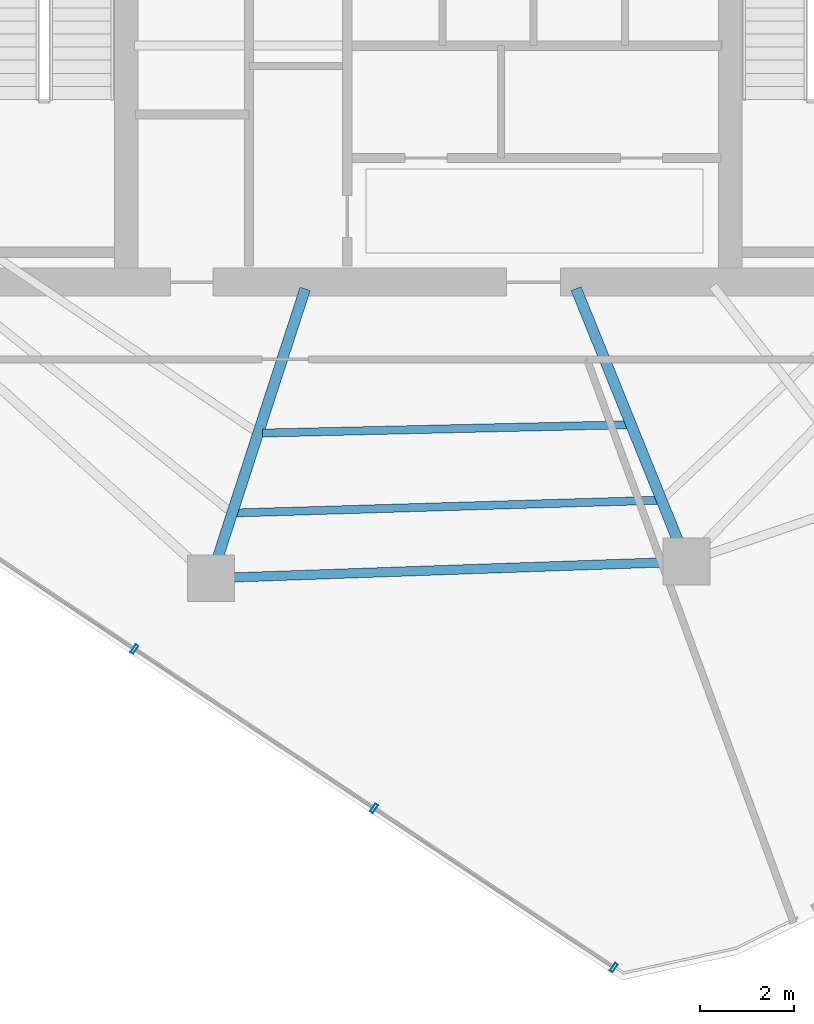
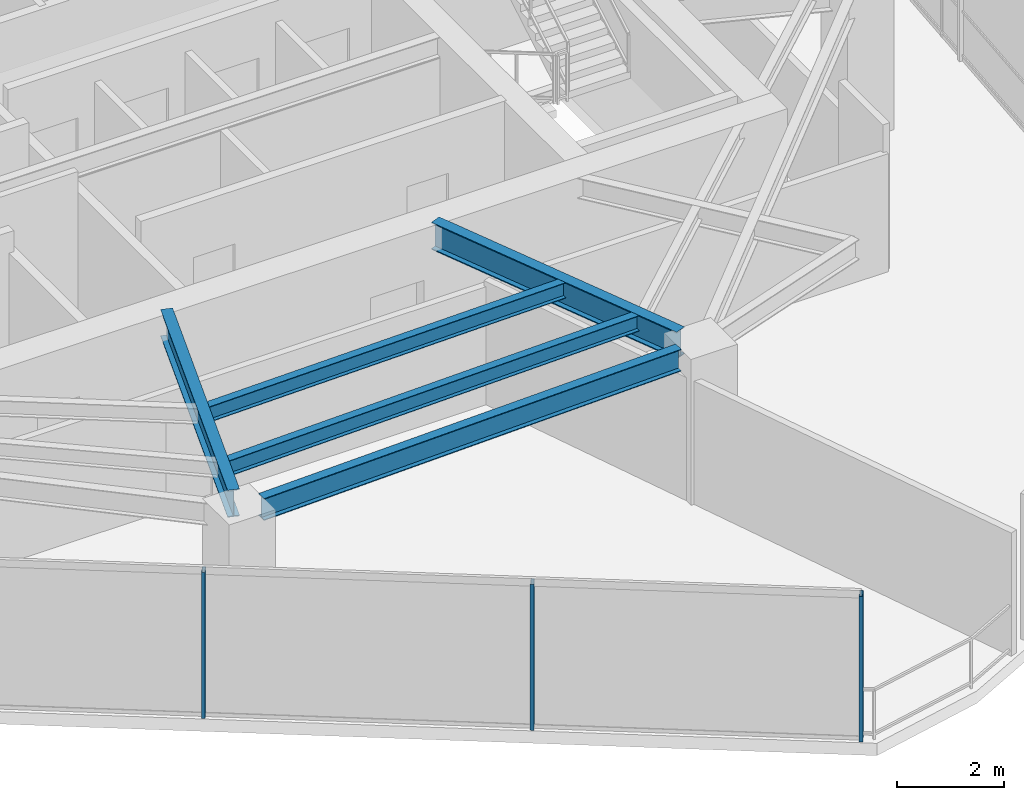
# One storey, part 4 of 21: 5 beams, 3 members, 1 element without a shape of its own.
"""IFC4 building model written with IfcOpenShell, lengths in metres."""

from ifc_helpers import new_model, si_unit, direction, frame, origin, origin_2d, place, context, subcontext, project, spatial, hollow_rectangle, i_section, extrude, material, layer, layer_set, material_profile, profile_set, type_object, element, aggregate, save


model = new_model("IFC4")

# Units and contexts
model_context = context("Model", 3, precision=1e-05, world=origin(), true_north=direction((0.0, 1.0)))
body_context = subcontext(model_context, "Body", "Model", "MODEL_VIEW")
ifc_project = project(units=[si_unit("LENGTHUNIT", "METRE"), si_unit("AREAUNIT", "SQUARE_METRE"), si_unit("VOLUMEUNIT", "CUBIC_METRE"), si_unit("PLANEANGLEUNIT", "RADIAN"), si_unit("MASSUNIT", "GRAM", prefix="KILO")], contexts=[model_context])

# Site, building, storey
site_placement = place(None, origin())
site = spatial("IfcSite", under=ifc_project, at=site_placement, CompositionType="ELEMENT")
building_placement = place(site_placement, origin())
building = spatial("IfcBuilding", under=site, at=building_placement, Name="Qarnah Convention Tower", CompositionType="ELEMENT")
storey_placement = place(building_placement, frame((0.0, 0.0, 165.300048828125)))
storey = spatial("IfcBuildingStorey", under=building, at=storey_placement, Name="L44", CompositionType="ELEMENT", Elevation=165.300048828125)

# Beams
ifc_material_1 = material(Name="Structural steel S355JR", Category="steel")
ifc_material_profile_1 = material_profile(ifc_material_1, i_section(OverallWidth=0.172119140625, OverallDepth=0.35595703125, WebThickness=0.007080078125, FlangeThickness=0.011962890625, at=origin_2d()), Name="W360X51")
ifc_profile_set_1 = profile_set([ifc_material_profile_1], Name="Structural steel S355JR")
beam_type_1 = type_object("IfcBeamType", Name="BM-JST-W360", PredefinedType="JOIST", material=ifc_profile_set_1)
beam_1_placement = place(storey_placement, frame((33.153076171875, 13.6708984375, 3.141845703125), z_axis=(0.999549139183, 0.030025295308, 0.0), x_axis=(-0.030025295308, 0.999549139183, 0.0)))
element("IfcBeam", 1, at=beam_1_placement, inside=storey, type_object=beam_type_1, Name="L44 joist BM-L44-SJST-07", PredefinedType="JOIST", context=body_context, shape_type="SweptSolid", body=[
    extrude(i_section(OverallWidth=0.172119140625, OverallDepth=0.35595703125, WebThickness=0.007080078125, FlangeThickness=0.011962890625, at=origin_2d()), origin(), (0.0, 0.0, 1.0), 8.9931640625),
])
beam_2_placement = place(storey_placement, frame((33.7080078125, 15.376953125, 3.141845703125), z_axis=(0.999741495438, 0.022736365137, 0.0), x_axis=(-0.022736365137, 0.999741495438, 0.0)))
element("IfcBeam", 2, at=beam_2_placement, inside=storey, type_object=beam_type_1, Name="L44 joist BM-L44-IJST-07", PredefinedType="JOIST", context=body_context, shape_type="SweptSolid", body=[
    extrude(i_section(OverallWidth=0.172119140625, OverallDepth=0.35595703125, WebThickness=0.007080078125, FlangeThickness=0.011962890625, at=origin_2d()), origin(), (0.0, 0.0, 1.0), 7.784912109375),
])
ifc_material_profile_2 = material_profile(ifc_material_1, i_section(OverallWidth=0.22998046875, OverallDepth=0.617919921875, WebThickness=0.012939453125, FlangeThickness=0.02197265625, at=origin_2d()), Name="W610X140")
ifc_profile_set_2 = profile_set([ifc_material_profile_2], Name="Structural steel S355JR")
beam_type_2 = type_object("IfcBeamType", Name="BM-RAD-W610A", PredefinedType="BEAM", material=ifc_profile_set_2)
beam_3_placement = place(storey_placement, frame((34.6201171875, 18.45703125, 3.010986328125), z_axis=(-0.30919796314, -0.950997696942, 0.0), x_axis=(0.950997696942, -0.30919796314, 0.0)))
element("IfcBeam", 3, at=beam_3_placement, inside=storey, type_object=beam_type_2, Name="L44 beam BM-L44-RAD-07", PredefinedType="BEAM", context=body_context, shape_type="SweptSolid", body=[
    extrude(i_section(OverallWidth=0.22998046875, OverallDepth=0.617919921875, WebThickness=0.012939453125, FlangeThickness=0.02197265625, at=origin_2d()), origin(), (0.0, 0.0, 1.0), 6.01904296875),
])
beam_4_placement = place(storey_placement, frame((40.406982421875, 18.4609375, 3.010986328125), z_axis=(0.374656949885, -0.927163507642, 0.0), x_axis=(0.927163507642, 0.374656949885, 0.0)))
element("IfcBeam", 4, at=beam_4_placement, inside=storey, type_object=beam_type_2, Name="L44 beam BM-L44-RAD-08", PredefinedType="BEAM", context=body_context, shape_type="SweptSolid", body=[
    extrude(i_section(OverallWidth=0.22998046875, OverallDepth=0.617919921875, WebThickness=0.012939453125, FlangeThickness=0.02197265625, at=origin_2d()), origin(), (0.0, 0.0, 1.0), 5.80810546875),
])
ifc_material_profile_3 = material_profile(ifc_material_1, i_section(OverallWidth=0.199951171875, OverallDepth=0.5, WebThickness=0.010009765625, FlangeThickness=0.01611328125, at=origin_2d()), Name="IPE500")
ifc_profile_set_3 = profile_set([ifc_material_profile_3], Name="Structural steel S355JR")
beam_type_3 = type_object("IfcBeamType", Name="BM-SPN-IPE500", PredefinedType="SPANDREL", material=ifc_profile_set_3)
beam_5_placement = place(storey_placement, frame((33.10107421875, 12.2939453125, 3.070068359375), z_axis=(0.999391665003, 0.034875491717, 0.0), x_axis=(-0.034875491717, 0.999391665003, 0.0)))
element("IfcBeam", 5, at=beam_5_placement, inside=storey, type_object=beam_type_3, Name="L44 spandrel BM-L44-SPN-07", PredefinedType="SPANDREL", context=body_context, shape_type="SweptSolid", body=[
    extrude(i_section(OverallWidth=0.199951171875, OverallDepth=0.5, WebThickness=0.010009765625, FlangeThickness=0.01611328125, at=origin_2d()), origin(), (0.0, 0.0, 1.0), 9.177490234375),
])

# Curtain wall, members
ifc_material_2 = material(Name="Tempered Low-E dark glass", Category="glass")
ifc_layer = layer(ifc_material_2, 0.172119140625)
ifc_layer_set = layer_set([ifc_layer], Name="Tempered Low-E dark glass")
curtain_wall_type = type_object("IfcCurtainWallType", Name="CWS-03", PredefinedType="NOTDEFINED", material=ifc_layer_set)
curtain_wall_placement = place(storey_placement, origin())
curtain_wall = element("IfcCurtainWall", 6, at=curtain_wall_placement, inside=storey, type_object=curtain_wall_type, Name="L44 unitised curtain wall CW-L44-F1", PredefinedType="NOTDEFINED")
ifc_material_3 = material(Name="Black anodised aluminium", Category="aluminium")
ifc_material_profile_4 = material_profile(ifc_material_3, hollow_rectangle(XDim=0.070068359375, YDim=0.199951171875, WallThickness=0.0048828125, at=origin_2d()), Name="MUL-70X200")
ifc_profile_set_4 = profile_set([ifc_material_profile_4], Name="Black anodised aluminium")
member_type = type_object("IfcMemberType", Name="MUL-T3", PredefinedType="MULLION", material=ifc_profile_set_4)
member_1_placement = place(storey_placement, frame((41.2119140625, 3.9619140625, 0.0), z_axis=(0.0, 0.0, 1.0), x_axis=(-0.832920468029, 0.55339271222, 0.0)))
member_1 = element("IfcMember", 7, at=member_1_placement, type_object=member_type, Name="CW-L44-F1 mullion 1", PredefinedType="MULLION", context=body_context, shape_type="SweptSolid", body=[
    extrude(hollow_rectangle(XDim=0.070068359375, YDim=0.199951171875, WallThickness=0.0048828125, at=origin_2d()), origin(), (0.0, 0.0, 1.0), 3.320068359375),
])
member_2_placement = place(storey_placement, frame((36.093505859375, 7.36279296875, 0.0), z_axis=(0.0, 0.0, 1.0), x_axis=(-0.832920468029, 0.55339271222, 0.0)))
member_2 = element("IfcMember", 8, at=member_2_placement, type_object=member_type, Name="CW-L44-F1 mullion 2", PredefinedType="MULLION", context=body_context, shape_type="SweptSolid", body=[
    extrude(hollow_rectangle(XDim=0.070068359375, YDim=0.199951171875, WallThickness=0.0048828125, at=origin_2d()), origin(), (0.0, 0.0, 1.0), 3.320068359375),
])
member_3_placement = place(storey_placement, frame((30.974853515625, 10.763671875, 0.0), z_axis=(0.0, 0.0, 1.0), x_axis=(-0.832920468029, 0.55339271222, 0.0)))
member_3 = element("IfcMember", 9, at=member_3_placement, type_object=member_type, Name="CW-L44-F1 mullion 3", PredefinedType="MULLION", context=body_context, shape_type="SweptSolid", body=[
    extrude(hollow_rectangle(XDim=0.070068359375, YDim=0.199951171875, WallThickness=0.0048828125, at=origin_2d()), origin(), (0.0, 0.0, 1.0), 3.320068359375),
])
aggregate(curtain_wall, [member_1, member_2, member_3])

save(model, "model.ifc")
